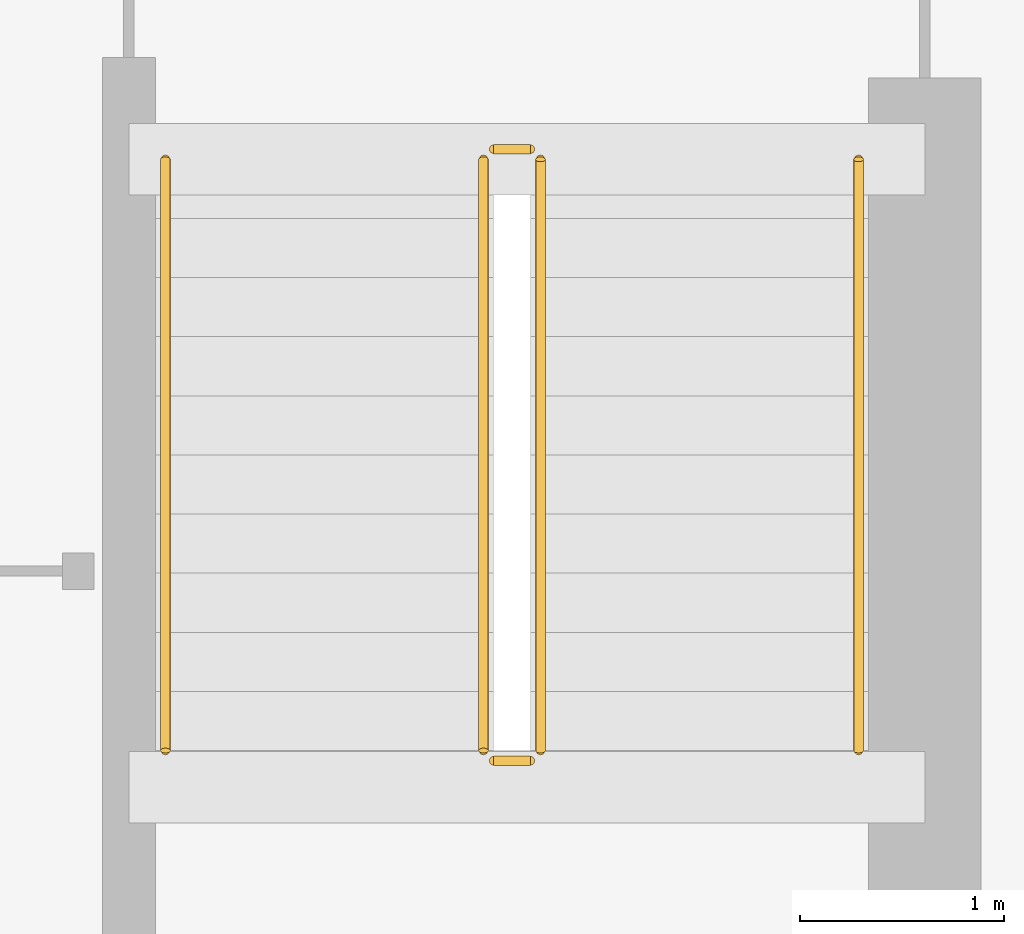
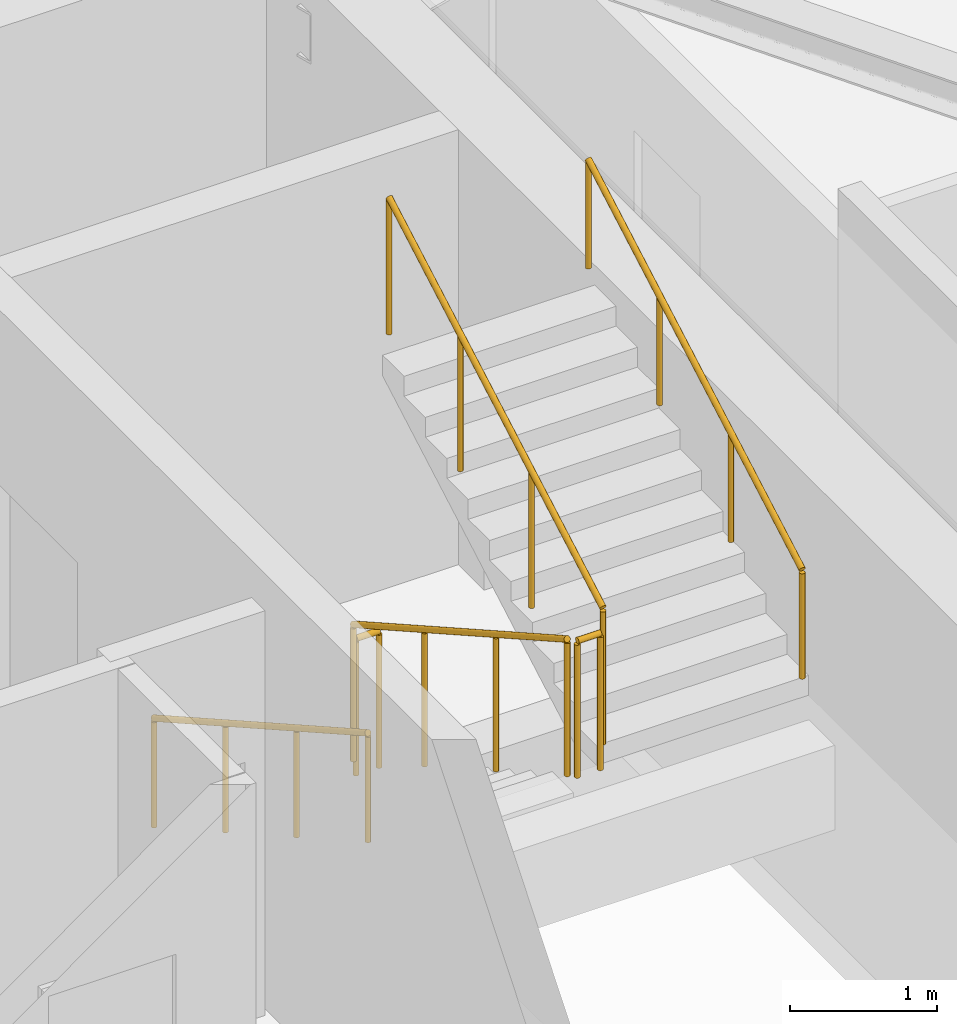
# One storey, part 10 of 10: 6 railings.
"""IFC4 building model written with IfcOpenShell, lengths in metres."""

from ifc_helpers import new_model, si_unit, direction, frame, origin, origin_2d, place, context, subcontext, project, spatial, circle, extrude, material, type_object, element, save


model = new_model("IFC4")

# Units and contexts
model_context = context("Model", 3, precision=1e-05, world=origin(), true_north=direction((0.0, 1.0)))
body_context = subcontext(model_context, "Body", "Model", "MODEL_VIEW")
ifc_project = project(units=[si_unit("LENGTHUNIT", "METRE"), si_unit("AREAUNIT", "SQUARE_METRE"), si_unit("VOLUMEUNIT", "CUBIC_METRE"), si_unit("PLANEANGLEUNIT", "RADIAN"), si_unit("MASSUNIT", "GRAM", prefix="KILO")], contexts=[model_context])

# Site, building, storey
site_placement = place(None, origin())
site = spatial("IfcSite", under=ifc_project, at=site_placement, CompositionType="ELEMENT")
building_placement = place(site_placement, origin())
building = spatial("IfcBuilding", under=site, at=building_placement, Name="Calvemar Wedge Station Tower", CompositionType="ELEMENT")
storey_placement = place(building_placement, frame((0.0, 0.0, 256.5)))
storey = spatial("IfcBuildingStorey", under=building, at=storey_placement, Name="L65", CompositionType="ELEMENT", Elevation=256.5)

# Railings
ifc_material_1 = material(Name="Stainless steel AISI 316L", Category="steel")
railing_type_1 = type_object("IfcRailingType", Name="RL-HANDRAIL-920", PredefinedType="HANDRAIL", material=ifc_material_1)
railing_1_placement = place(storey_placement, frame((27.550048828125, 41.14990234375, 0.16357421875)))
element("IfcRailing", 1, at=railing_1_placement, inside=storey, type_object=railing_type_1, Name="L65 ST-C2 stair handrail 1", PredefinedType="HANDRAIL", context=body_context, shape_type="SweptSolid", body=[
    extrude(circle(Radius=0.02392578125, at=origin_2d()), frame((0.0, 0.0, 0.89599609375), z_axis=(0.0, -0.870897200241, 0.491465224214), x_axis=(1.0, 0.0, 0.0)), (0.0, 0.0, 1.0), 3.329833984375),
    extrude(circle(Radius=0.02099609375, at=origin_2d()), origin(), (0.0, 0.0, 1.0), 0.871826171875),
    extrude(circle(Radius=0.02099609375, at=origin_2d()), frame((0.0, -0.966552734375, 0.54541015625)), (0.0, 0.0, 1.0), 0.871826171875),
    extrude(circle(Radius=0.02099609375, at=origin_2d()), frame((0.0, -1.933349609375, 1.091064453125)), (0.0, 0.0, 1.0), 0.871826171875),
    extrude(circle(Radius=0.02099609375, at=origin_2d()), frame((0.0, -2.89990234375, 1.636474609375)), (0.0, 0.0, 1.0), 0.871826171875),
])
railing_2_placement = place(storey_placement, frame((30.949951171875, 38.25, 1.963623046875)))
element("IfcRailing", 2, at=railing_2_placement, inside=storey, type_object=railing_type_1, Name="L65 ST-C2 stair handrail 2", PredefinedType="HANDRAIL", context=body_context, shape_type="SweptSolid", body=[
    extrude(circle(Radius=0.02392578125, at=origin_2d()), frame((0.0, 0.0, 0.89599609375), z_axis=(0.0, 0.870897200241, 0.491465224214), x_axis=(-1.0, 0.0, 0.0)), (0.0, 0.0, 1.0), 3.329833984375),
    extrude(circle(Radius=0.02099609375, at=origin_2d()), origin(), (0.0, 0.0, 1.0), 0.871826171875),
    extrude(circle(Radius=0.02099609375, at=origin_2d()), frame((0.0, 0.966552734375, 0.54541015625)), (0.0, 0.0, 1.0), 0.871826171875),
    extrude(circle(Radius=0.02099609375, at=origin_2d()), frame((0.0, 1.933349609375, 1.091064453125)), (0.0, 0.0, 1.0), 0.871826171875),
    extrude(circle(Radius=0.02099609375, at=origin_2d()), frame((0.0, 2.89990234375, 1.636474609375)), (0.0, 0.0, 1.0), 0.871826171875),
])
ifc_material_2 = material(Name="Painted steel guardrail ASTM A500 Grade C", Category="steel")
railing_type_2 = type_object("IfcRailingType", Name="RL-STAIR-GUARD-1150", PredefinedType="GUARDRAIL", material=ifc_material_2)
railing_3_placement = place(storey_placement, frame((29.110107421875, 41.14990234375, 0.16357421875)))
element("IfcRailing", 3, at=railing_3_placement, inside=storey, type_object=railing_type_2, Name="L65 ST-C2 stair guard 1", PredefinedType="GUARDRAIL", context=body_context, shape_type="SweptSolid", body=[
    extrude(circle(Radius=0.02392578125, at=origin_2d()), frame((0.0, 0.0, 1.1259765625), z_axis=(0.0, -0.870897200241, 0.491465224214), x_axis=(1.0, 0.0, 0.0)), (0.0, 0.0, 1.0), 3.329833984375),
    extrude(circle(Radius=0.02099609375, at=origin_2d()), origin(), (0.0, 0.0, 1.0), 1.101806640625),
    extrude(circle(Radius=0.02099609375, at=origin_2d()), frame((0.0, -0.966552734375, 0.54541015625)), (0.0, 0.0, 1.0), 1.101806640625),
    extrude(circle(Radius=0.02099609375, at=origin_2d()), frame((0.0, -1.933349609375, 1.091064453125)), (0.0, 0.0, 1.0), 1.101806640625),
    extrude(circle(Radius=0.02099609375, at=origin_2d()), frame((0.0, -2.89990234375, 1.636474609375)), (0.0, 0.0, 1.0), 1.101806640625),
])
railing_4_placement = place(storey_placement, frame((29.159912109375, 38.199951171875, 1.800048828125)))
element("IfcRailing", 4, at=railing_4_placement, inside=storey, type_object=railing_type_2, Name="L65 ST-C2 stair guard 2", PredefinedType="GUARDRAIL", context=body_context, shape_type="SweptSolid", body=[
    extrude(circle(Radius=0.02392578125, at=origin_2d()), frame((0.0, 0.0, 1.1259765625), z_axis=(1.0, 0.0, 0.0), x_axis=(0.0, 1.0, 0.0)), (0.0, 0.0, 1.0), 0.18017578125),
    extrude(circle(Radius=0.02099609375, at=origin_2d()), origin(), (0.0, 0.0, 1.0), 1.101806640625),
    extrude(circle(Radius=0.02099609375, at=origin_2d()), frame((0.18017578125, 0.0, 0.0)), (0.0, 0.0, 1.0), 1.101806640625),
])
railing_5_placement = place(storey_placement, frame((29.389892578125, 38.25, 1.963623046875)))
element("IfcRailing", 5, at=railing_5_placement, inside=storey, type_object=railing_type_2, Name="L65 ST-C2 stair guard 3", PredefinedType="GUARDRAIL", context=body_context, shape_type="SweptSolid", body=[
    extrude(circle(Radius=0.02392578125, at=origin_2d()), frame((0.0, 0.0, 1.1259765625), z_axis=(0.0, 0.870897200241, 0.491465224214), x_axis=(-1.0, 0.0, 0.0)), (0.0, 0.0, 1.0), 3.329833984375),
    extrude(circle(Radius=0.02099609375, at=origin_2d()), origin(), (0.0, 0.0, 1.0), 1.101806640625),
    extrude(circle(Radius=0.02099609375, at=origin_2d()), frame((0.0, 0.966552734375, 0.54541015625)), (0.0, 0.0, 1.0), 1.101806640625),
    extrude(circle(Radius=0.02099609375, at=origin_2d()), frame((0.0, 1.933349609375, 1.091064453125)), (0.0, 0.0, 1.0), 1.101806640625),
    extrude(circle(Radius=0.02099609375, at=origin_2d()), frame((0.0, 2.89990234375, 1.636474609375)), (0.0, 0.0, 1.0), 1.101806640625),
])
railing_6_placement = place(storey_placement, frame((29.159912109375, 41.199951171875, 0.0)))
element("IfcRailing", 6, at=railing_6_placement, inside=storey, type_object=railing_type_2, Name="L65 ST-C2 stair guard 4", PredefinedType="GUARDRAIL", context=body_context, shape_type="SweptSolid", body=[
    extrude(circle(Radius=0.02392578125, at=origin_2d()), frame((0.0, 0.0, 1.1259765625), z_axis=(1.0, 0.0, 0.0), x_axis=(0.0, 1.0, 0.0)), (0.0, 0.0, 1.0), 0.18017578125),
    extrude(circle(Radius=0.02099609375, at=origin_2d()), origin(), (0.0, 0.0, 1.0), 1.101806640625),
    extrude(circle(Radius=0.02099609375, at=origin_2d()), frame((0.18017578125, 0.0, 0.0)), (0.0, 0.0, 1.0), 1.101806640625),
])

save(model, "model.ifc")
